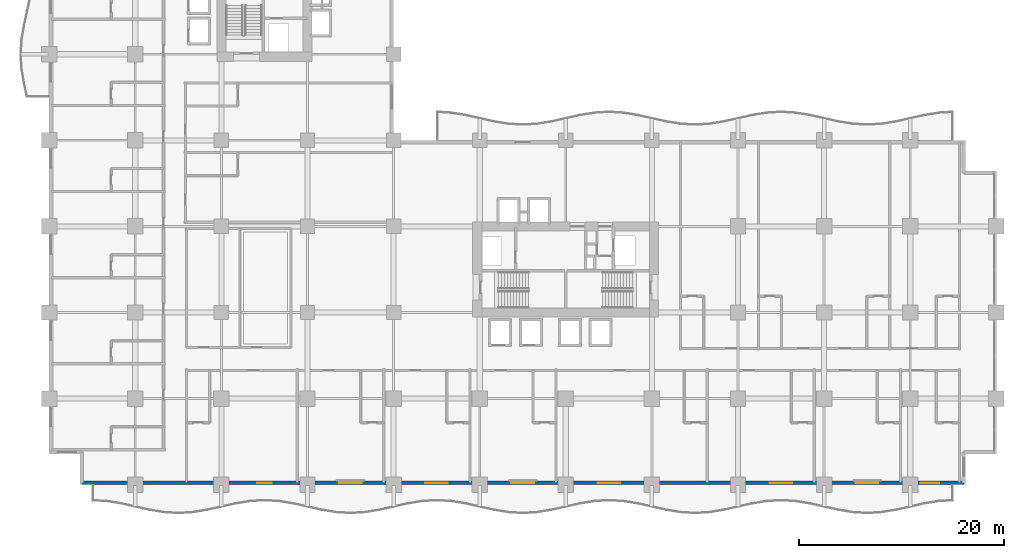
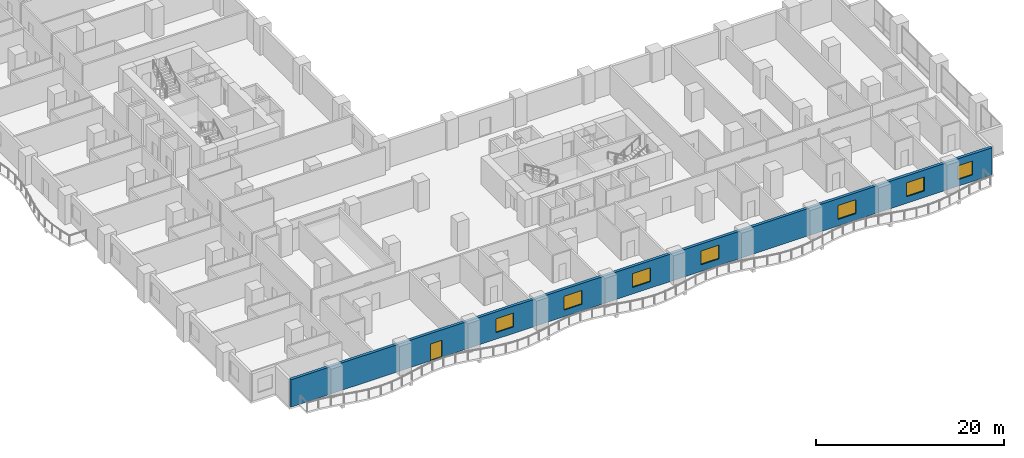
# One storey, part 11 of 26: 7 windows, 1 door, 1 wall, 8 openings.
"""IFC4 building model written with IfcOpenShell, lengths in metres."""

import ifcopenshell
import ifcopenshell.guid

model = None  # the IFC model being written
_history = None  # IfcOwnerHistory: only IFC2X3 demands one
_inside = {}  # id of a spatial element -> (the spatial element, [elements in it])
_under = {}  # id of a project, library or spatial element -> (it, [spatial elements below it])
_declared = {}  # id of a project -> (the project, [libraries it declares])
_typed = {}  # id of a type object -> (the type object, [elements of that type])
_made_of = {}  # id of a material, layer set ... -> (it, [elements and type objects made of it])


def new_model(schema):
    """Start an empty IFC model of exactly this schema.

    Asked for "IFC4X3", IfcOpenShell would pick the latest addendum, in which some entities
    have other attributes; the version numbers below select the first issue.
    IFC2X3 requires an IfcOwnerHistory on every rooted entity: one is made here for all.
    """
    global model, _history
    if schema == "IFC4X3":
        model = ifcopenshell.file(schema_version=(4, 3, 0, 0))
    else:
        model = ifcopenshell.file(schema=schema)
    _inside.clear()
    _under.clear()
    _declared.clear()
    _typed.clear()
    _made_of.clear()
    _history = None
    if model.schema == "IFC2X3":
        org = make("IfcOrganization", Name="unknown")
        user = make(
            "IfcPersonAndOrganization",
            ThePerson=make("IfcPerson", FamilyName="unknown"),
            TheOrganization=org,
        )
        app = make(
            "IfcApplication",
            ApplicationDeveloper=org,
            Version="unknown",
            ApplicationFullName="unknown",
            ApplicationIdentifier="unknown",
        )
        _history = make(
            "IfcOwnerHistory",
            OwningUser=user,
            OwningApplication=app,
            ChangeAction="ADDED",
            CreationDate=0,
        )
    return model


def make(cls, **values):
    """One entity of the class cls with the attributes given. An attribute that is None is left unset."""
    return model.create_entity(
        cls, **{name: value for name, value in values.items() if value is not None}
    )


def rooted(cls, **values):
    """An entity with a GlobalId (a new one), such as an element, a storey or a relation."""
    return make(cls, GlobalId=ifcopenshell.guid.new(), OwnerHistory=_history, **values)


def si_unit(unit_type, name, prefix=None):
    """IfcSIUnit, for example si_unit("LENGTHUNIT", "METRE", prefix="MILLI")."""
    return make("IfcSIUnit", UnitType=unit_type, Prefix=prefix, Name=name)


def assignment(units):
    """IfcUnitAssignment: the units of a project."""
    return None if units is None else make("IfcUnitAssignment", Units=units)


def point(xyz):
    """IfcCartesianPoint."""
    return None if xyz is None else make("IfcCartesianPoint", Coordinates=xyz)


def direction(xyz):
    """IfcDirection."""
    return None if xyz is None else make("IfcDirection", DirectionRatios=xyz)


def frame(location, z_axis=None, x_axis=None):
    """IfcAxis2Placement3D, a coordinate frame: its origin and axes. An axis left out is left unset."""
    return make(
        "IfcAxis2Placement3D",
        Location=point(location),
        Axis=direction(z_axis),
        RefDirection=direction(x_axis),
    )


def frame_2d(location, x_axis=None):
    """IfcAxis2Placement2D, a coordinate frame in the plane: its origin and x axis."""
    return make(
        "IfcAxis2Placement2D", Location=point(location), RefDirection=direction(x_axis)
    )


def origin():
    """The frame at (0, 0, 0) with its axes left unset."""
    return frame((0.0, 0.0, 0.0))


def place(relative_to, where):
    """IfcLocalPlacement: puts the frame where relative to a parent placement (None: the world)."""
    return make(
        "IfcLocalPlacement", PlacementRelTo=relative_to, RelativePlacement=where
    )


def context(
    kind, dimensions, precision=None, world=None, true_north=None, identifier=None
):
    """IfcGeometricRepresentationContext, for example the 3D "Model" context."""
    return make(
        "IfcGeometricRepresentationContext",
        ContextIdentifier=identifier,
        ContextType=kind,
        CoordinateSpaceDimension=dimensions,
        Precision=precision,
        WorldCoordinateSystem=world,
        TrueNorth=true_north,
    )


def subcontext(parent, identifier, kind, view, scale=None):
    """IfcGeometricRepresentationSubContext, for example "Body" below "Model"."""
    return make(
        "IfcGeometricRepresentationSubContext",
        ContextIdentifier=identifier,
        ContextType=kind,
        ParentContext=parent,
        TargetScale=scale,
        TargetView=view,
    )


def project(units=None, contexts=None):
    """IfcProject with its units and contexts."""
    return rooted(
        "IfcProject",
        Name="project",
        RepresentationContexts=contexts,
        UnitsInContext=assignment(units),
    )


def spatial(cls, under=None, at=None, **own):
    """A site, building, storey or space (cls), placed at a placement, below another one or the project."""
    s = rooted(cls, ObjectPlacement=at, **own)
    if under is not None:
        _under.setdefault(under.id(), (under, []))[1].append(s)
    return s


def profile(cls, at=None, kind="AREA", **sizes):
    """A parametric profile (cls). Its sizes go by their IFC names, for example OverallWidth=200.0."""
    return make(cls, ProfileType=kind, Position=at, **sizes)


def rectangle(**sizes):
    """IfcRectangleProfileDef."""
    return profile("IfcRectangleProfileDef", **sizes)


def extrude(swept, where, along, depth):
    """IfcExtrudedAreaSolid: the profile swept, set in the frame where, extruded along a direction by depth."""
    return make(
        "IfcExtrudedAreaSolid",
        SweptArea=swept,
        Position=where,
        ExtrudedDirection=direction(along),
        Depth=depth,
    )


def shape(context_of_items, identifier, shape_type, items):
    """IfcShapeRepresentation: the items that make up one representation, for example the "Body"."""
    return make(
        "IfcShapeRepresentation",
        ContextOfItems=context_of_items,
        RepresentationIdentifier=identifier,
        RepresentationType=shape_type,
        Items=items,
    )


def material(Name=None, Category=None):
    """IfcMaterial."""
    return make("IfcMaterial", Name=Name, Category=Category)


def layer(
    of_material, thickness, ventilated=None, Name=None, Category=None, Priority=None
):
    """IfcMaterialLayer: one layer of a wall or slab, of a material (None: an air gap)."""
    return make(
        "IfcMaterialLayer",
        Material=of_material,
        LayerThickness=thickness,
        IsVentilated=ventilated,
        Name=Name,
        Category=Category,
        Priority=Priority,
    )


def layer_set(layers, Name=None):
    """IfcMaterialLayerSet."""
    return make("IfcMaterialLayerSet", MaterialLayers=layers, LayerSetName=Name)


def made_of(thing, what):
    """Note that an element or type object is made of a material, layer set ...; save() writes the relation."""
    if what is not None:
        _made_of.setdefault(what.id(), (what, []))[1].append(thing)
    return thing


def type_object(cls, material=None, **own):
    """A type object (cls), such as IfcWallType, which elements share."""
    return made_of(rooted(cls, **own), material)


def element(
    cls,
    number,
    at=None,
    inside=None,
    cuts=None,
    type_object=None,
    material=None,
    context=None,
    identifier="Body",
    shape_type=None,
    held_by="IfcProductDefinitionShape",
    body=None,
    shapes=None,
    **own,
):
    """One element of the class cls, such as IfcWall. Its Tag is "e" and its number.

    at: its placement. inside: the storey or other place that contains it. cuts: it is an
    opening in that element (IfcRelVoidsElement). A single representation is given by context,
    identifier, shape_type and body (its items); several are given by shapes. held_by: the class
    of the entity that holds the representations. save() writes the other relations.
    """
    e = rooted(cls, Tag="e%d" % number, ObjectPlacement=at, **own)
    if body is not None:
        shapes = [shape(context, identifier, shape_type, body)]
    if shapes is not None:
        e.Representation = make(held_by, Representations=shapes)
    if inside is not None:
        _inside.setdefault(inside.id(), (inside, []))[1].append(e)
    if cuts is not None:
        rooted(
            "IfcRelVoidsElement", RelatingBuildingElement=cuts, RelatedOpeningElement=e
        )
    if type_object is not None:
        _typed.setdefault(type_object.id(), (type_object, []))[1].append(e)
    return made_of(e, material)


def fill(opening, filler):
    """IfcRelFillsElement: the door or window that sits in an opening."""
    return rooted(
        "IfcRelFillsElement",
        RelatingOpeningElement=opening,
        RelatedBuildingElement=filler,
    )


def aggregate(whole, parts):
    """IfcRelAggregates: a whole, such as a stair, and the parts it consists of."""
    return rooted("IfcRelAggregates", RelatingObject=whole, RelatedObjects=parts)


def save(model, path):
    """Write the relations noted so far, then the file.

    IfcRelAggregates (storeys below a building ...), IfcRelContainedInSpatialStructure (elements
    in a storey), IfcRelDefinesByType, IfcRelAssociatesMaterial and IfcRelDeclares: one each for
    every whole, place, type object, material and project.
    """
    for whole, parts in _under.values():
        aggregate(whole, parts)
    for where, things in _inside.values():
        rooted(
            "IfcRelContainedInSpatialStructure",
            RelatedElements=things,
            RelatingStructure=where,
        )
    for kind, things in _typed.values():
        rooted("IfcRelDefinesByType", RelatedObjects=things, RelatingType=kind)
    for what, things in _made_of.values():
        rooted("IfcRelAssociatesMaterial", RelatedObjects=things, RelatingMaterial=what)
    for by, libraries in _declared.values():
        rooted("IfcRelDeclares", RelatingContext=by, RelatedDefinitions=libraries)
    model.write(path)


model = new_model("IFC4")

# Units and contexts
model_context = context("Model", 3, precision=1e-05, world=origin(), true_north=direction((0.0, 1.0)))
body_context = subcontext(model_context, "Body", "Model", "MODEL_VIEW")
ifc_project = project(units=[si_unit("LENGTHUNIT", "METRE"), si_unit("AREAUNIT", "SQUARE_METRE"), si_unit("VOLUMEUNIT", "CUBIC_METRE"), si_unit("PLANEANGLEUNIT", "RADIAN"), si_unit("MASSUNIT", "GRAM", prefix="KILO")], contexts=[model_context])

# Site, building, storey
site_placement = place(None, origin())
site = spatial("IfcSite", under=ifc_project, at=site_placement, CompositionType="ELEMENT")
building_placement = place(site_placement, origin())
building = spatial("IfcBuilding", under=site, at=building_placement, Name="Koriwani Terraces Tower", CompositionType="ELEMENT")
storey_placement = place(building_placement, frame((0.0, 0.0, 39.60009765625)))
storey = spatial("IfcBuildingStorey", under=building, at=storey_placement, Name="L08", CompositionType="ELEMENT", Elevation=39.60009765625)

# Wall, openings, door, windows
ifc_material_1 = material(Name="Concrete C50/60", Category="concrete")
ifc_layer = layer(ifc_material_1, 0.35009765625, Name="Concrete C50/60")
ifc_layer_set = layer_set([ifc_layer], Name="Concrete C50/60")
wall_type = type_object("IfcWallType", Name="WALL_EXT_BRUTALIST_350", PredefinedType="STANDARD", material=ifc_layer_set)
wall_placement = place(storey_placement, frame((89.22509765625, 0.175048828125, 0.0), z_axis=(0.0, 0.0, 1.0), x_axis=(-1.0, 0.0, 0.0)))
wall = element("IfcWall", 1, at=wall_placement, inside=storey, type_object=wall_type, Name="L08 Fair-Faced Brutalist Exterior Wall (S)", PredefinedType="STANDARD", context=body_context, shape_type="SweptSolid", body=[
    extrude(rectangle(XDim=86.050048828125, YDim=0.35009765625, at=frame_2d((43.02490234375, 0.0))), origin(), (0.0, 0.0, 1.0), 3.5498046875),
])
opening_1_placement = place(wall_placement, frame((67.52490234375, 0.0, 0.0)))
opening_1 = element("IfcOpeningElement", 2, at=opening_1_placement, cuts=wall, Name="Opening D-09", PredefinedType="OPENING", context=body_context, shape_type="SweptSolid", body=[
    extrude(rectangle(XDim=1.39990234375, YDim=2.199951171875, at=frame_2d((0.699951171875, 1.10009765625))), frame((0.0, 0.18505859375, 0.0), z_axis=(0.0, -1.0, 0.0), x_axis=(1.0, 0.0, 0.0)), (0.0, 0.0, 1.0), 0.3701171875),
])
opening_2_placement = place(wall_placement, frame((58.72509765625, 0.0, 0.85009765625)))
opening_2 = element("IfcOpeningElement", 3, at=opening_2_placement, cuts=wall, Name="Opening W-01", PredefinedType="OPENING", context=body_context, shape_type="SweptSolid", body=[
    extrude(rectangle(XDim=2.199951171875, YDim=1.800048828125, at=frame_2d((1.10009765625, 0.89990234375))), frame((0.0, 0.18505859375, 0.0), z_axis=(0.0, -1.0, 0.0), x_axis=(1.0, 0.0, 0.0)), (0.0, 0.0, 1.0), 0.3701171875),
])
opening_3_placement = place(wall_placement, frame((50.324951171875, 0.0, 0.85009765625)))
opening_3 = element("IfcOpeningElement", 4, at=opening_3_placement, cuts=wall, Name="Opening W-01", PredefinedType="OPENING", context=body_context, shape_type="SweptSolid", body=[
    extrude(rectangle(XDim=2.199951171875, YDim=1.800048828125, at=frame_2d((1.10009765625, 0.89990234375))), frame((0.0, 0.18505859375, 0.0), z_axis=(0.0, -1.0, 0.0), x_axis=(1.0, 0.0, 0.0)), (0.0, 0.0, 1.0), 0.3701171875),
])
opening_4_placement = place(wall_placement, frame((41.925048828125, 0.0, 0.85009765625)))
opening_4 = element("IfcOpeningElement", 5, at=opening_4_placement, cuts=wall, Name="Opening W-01", PredefinedType="OPENING", context=body_context, shape_type="SweptSolid", body=[
    extrude(rectangle(XDim=2.199951171875, YDim=1.800048828125, at=frame_2d((1.10009765625, 0.89990234375))), frame((0.0, 0.18505859375, 0.0), z_axis=(0.0, -1.0, 0.0), x_axis=(1.0, 0.0, 0.0)), (0.0, 0.0, 1.0), 0.3701171875),
])
opening_5_placement = place(wall_placement, frame((33.52490234375, 0.0, 0.85009765625)))
opening_5 = element("IfcOpeningElement", 6, at=opening_5_placement, cuts=wall, Name="Opening W-01", PredefinedType="OPENING", context=body_context, shape_type="SweptSolid", body=[
    extrude(rectangle(XDim=2.199951171875, YDim=1.800048828125, at=frame_2d((1.10009765625, 0.89990234375))), frame((0.0, 0.18505859375, 0.0), z_axis=(0.0, -1.0, 0.0), x_axis=(1.0, 0.0, 0.0)), (0.0, 0.0, 1.0), 0.3701171875),
])
opening_6_placement = place(wall_placement, frame((16.72509765625, 0.0, 0.85009765625)))
opening_6 = element("IfcOpeningElement", 7, at=opening_6_placement, cuts=wall, Name="Opening W-01", PredefinedType="OPENING", context=body_context, shape_type="SweptSolid", body=[
    extrude(rectangle(XDim=2.199951171875, YDim=1.800048828125, at=frame_2d((1.10009765625, 0.89990234375))), frame((0.0, 0.18505859375, 0.0), z_axis=(0.0, -1.0, 0.0), x_axis=(1.0, 0.0, 0.0)), (0.0, 0.0, 1.0), 0.3701171875),
])
opening_7_placement = place(wall_placement, frame((8.324951171875, 0.0, 0.85009765625)))
opening_7 = element("IfcOpeningElement", 8, at=opening_7_placement, cuts=wall, Name="Opening W-01", PredefinedType="OPENING", context=body_context, shape_type="SweptSolid", body=[
    extrude(rectangle(XDim=2.199951171875, YDim=1.800048828125, at=frame_2d((1.10009765625, 0.89990234375))), frame((0.0, 0.18505859375, 0.0), z_axis=(0.0, -1.0, 0.0), x_axis=(1.0, 0.0, 0.0)), (0.0, 0.0, 1.0), 0.3701171875),
])
opening_8_placement = place(wall_placement, frame((2.39990234375, 0.0, 0.85009765625)))
opening_8 = element("IfcOpeningElement", 9, at=opening_8_placement, cuts=wall, Name="Opening W-04", PredefinedType="OPENING", context=body_context, shape_type="SweptSolid", body=[
    extrude(rectangle(XDim=1.800048828125, YDim=1.800048828125, at=frame_2d((0.89990234375, 0.89990234375))), frame((0.0, 0.18505859375, 0.0), z_axis=(0.0, -1.0, 0.0), x_axis=(1.0, 0.0, 0.0)), (0.0, 0.0, 1.0), 0.3701171875),
])
ifc_material_2 = material(Name="Anodised Bronze Aluminium", Category="aluminium")
door_type = type_object("IfcDoorType", Name="DOOR_BALCONY_GLAZED_1400X2200", OperationType="NOTDEFINED", PredefinedType="DOOR", material=ifc_material_2)
door_placement = place(opening_1_placement, origin())
door = element("IfcDoor", 10, at=door_placement, inside=storey, type_object=door_type, Name="L08 South Balcony Glazed Door", OperationType="SINGLE_SWING_LEFT", OverallHeight=2.199951171875, OverallWidth=1.39990234375, PredefinedType="DOOR", context=body_context, shape_type="SweptSolid", body=[
    extrude(rectangle(XDim=1.39990234375, YDim=2.199951171875, at=frame_2d((0.699951171875, 1.10009765625))), frame((0.0, 0.02490234375, 0.0), z_axis=(0.0, -1.0, 0.0), x_axis=(1.0, 0.0, 0.0)), (0.0, 0.0, 1.0), 0.050048828125),
])
fill(opening_1, door)
ifc_material_3 = material(Name="Tempered Laminated Low-E Glass", Category="glass")
window_type_1 = type_object("IfcWindowType", Name="WIN_HOTEL_STD_2200X1800", PartitioningType="DOUBLE_PANEL_VERTICAL", PredefinedType="WINDOW", material=ifc_material_3)
window_1_placement = place(opening_2_placement, origin())
window_1 = element("IfcWindow", 11, at=window_1_placement, inside=storey, type_object=window_type_1, Name="L08 Exterior Window (S-9)", OverallHeight=1.800048828125, OverallWidth=2.199951171875, PartitioningType="SINGLE_PANEL", PredefinedType="WINDOW", context=body_context, shape_type="SweptSolid", body=[
    extrude(rectangle(XDim=2.199951171875, YDim=1.800048828125, at=frame_2d((1.10009765625, 0.89990234375))), frame((0.0, 0.030029296875, 0.0), z_axis=(0.0, -1.0, 0.0), x_axis=(1.0, 0.0, 0.0)), (0.0, 0.0, 1.0), 0.06005859375),
])
fill(opening_2, window_1)
window_2_placement = place(opening_3_placement, origin())
window_2 = element("IfcWindow", 12, at=window_2_placement, inside=storey, type_object=window_type_1, Name="L08 Exterior Window (S-12)", OverallHeight=1.800048828125, OverallWidth=2.199951171875, PartitioningType="SINGLE_PANEL", PredefinedType="WINDOW", context=body_context, shape_type="SweptSolid", body=[
    extrude(rectangle(XDim=2.199951171875, YDim=1.800048828125, at=frame_2d((1.10009765625, 0.89990234375))), frame((0.0, 0.030029296875, 0.0), z_axis=(0.0, -1.0, 0.0), x_axis=(1.0, 0.0, 0.0)), (0.0, 0.0, 1.0), 0.06005859375),
])
fill(opening_3, window_2)
window_3_placement = place(opening_4_placement, origin())
window_3 = element("IfcWindow", 13, at=window_3_placement, inside=storey, type_object=window_type_1, Name="L08 Exterior Window (S-15)", OverallHeight=1.800048828125, OverallWidth=2.199951171875, PartitioningType="SINGLE_PANEL", PredefinedType="WINDOW", context=body_context, shape_type="SweptSolid", body=[
    extrude(rectangle(XDim=2.199951171875, YDim=1.800048828125, at=frame_2d((1.10009765625, 0.89990234375))), frame((0.0, 0.030029296875, 0.0), z_axis=(0.0, -1.0, 0.0), x_axis=(1.0, 0.0, 0.0)), (0.0, 0.0, 1.0), 0.06005859375),
])
fill(opening_4, window_3)
window_4_placement = place(opening_5_placement, origin())
window_4 = element("IfcWindow", 14, at=window_4_placement, inside=storey, type_object=window_type_1, Name="L08 Exterior Window (S-18)", OverallHeight=1.800048828125, OverallWidth=2.199951171875, PartitioningType="SINGLE_PANEL", PredefinedType="WINDOW", context=body_context, shape_type="SweptSolid", body=[
    extrude(rectangle(XDim=2.199951171875, YDim=1.800048828125, at=frame_2d((1.10009765625, 0.89990234375))), frame((0.0, 0.030029296875, 0.0), z_axis=(0.0, -1.0, 0.0), x_axis=(1.0, 0.0, 0.0)), (0.0, 0.0, 1.0), 0.06005859375),
])
fill(opening_5, window_4)
window_5_placement = place(opening_6_placement, origin())
window_5 = element("IfcWindow", 15, at=window_5_placement, inside=storey, type_object=window_type_1, Name="L08 Exterior Window (S-24)", OverallHeight=1.800048828125, OverallWidth=2.199951171875, PartitioningType="SINGLE_PANEL", PredefinedType="WINDOW", context=body_context, shape_type="SweptSolid", body=[
    extrude(rectangle(XDim=2.199951171875, YDim=1.800048828125, at=frame_2d((1.10009765625, 0.89990234375))), frame((0.0, 0.030029296875, 0.0), z_axis=(0.0, -1.0, 0.0), x_axis=(1.0, 0.0, 0.0)), (0.0, 0.0, 1.0), 0.06005859375),
])
fill(opening_6, window_5)
window_6_placement = place(opening_7_placement, origin())
window_6 = element("IfcWindow", 16, at=window_6_placement, inside=storey, type_object=window_type_1, Name="L08 Exterior Window (S-27)", OverallHeight=1.800048828125, OverallWidth=2.199951171875, PartitioningType="SINGLE_PANEL", PredefinedType="WINDOW", context=body_context, shape_type="SweptSolid", body=[
    extrude(rectangle(XDim=2.199951171875, YDim=1.800048828125, at=frame_2d((1.10009765625, 0.89990234375))), frame((0.0, 0.030029296875, 0.0), z_axis=(0.0, -1.0, 0.0), x_axis=(1.0, 0.0, 0.0)), (0.0, 0.0, 1.0), 0.06005859375),
])
fill(opening_7, window_6)
window_type_2 = type_object("IfcWindowType", Name="WIN_RES_BED_1800X1800", PartitioningType="DOUBLE_PANEL_VERTICAL", PredefinedType="WINDOW", material=ifc_material_3)
window_7_placement = place(opening_8_placement, origin())
window_7 = element("IfcWindow", 17, at=window_7_placement, inside=storey, type_object=window_type_2, Name="L08 Exterior Window (S-R70)", OverallHeight=1.800048828125, OverallWidth=1.800048828125, PartitioningType="SINGLE_PANEL", PredefinedType="WINDOW", context=body_context, shape_type="SweptSolid", body=[
    extrude(rectangle(XDim=1.800048828125, YDim=1.800048828125, at=frame_2d((0.89990234375, 0.89990234375))), frame((0.0, 0.030029296875, 0.0), z_axis=(0.0, -1.0, 0.0), x_axis=(1.0, 0.0, 0.0)), (0.0, 0.0, 1.0), 0.06005859375),
])
fill(opening_8, window_7)

save(model, "model.ifc")
